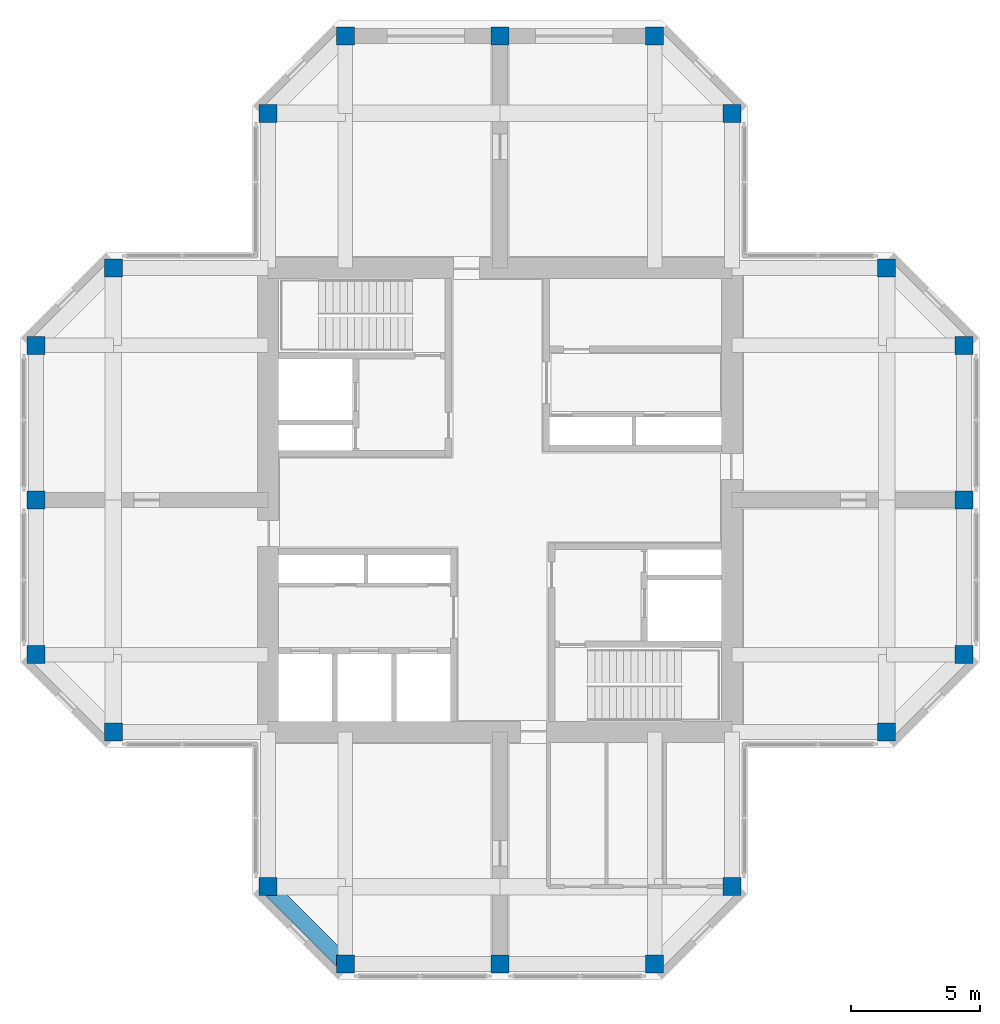
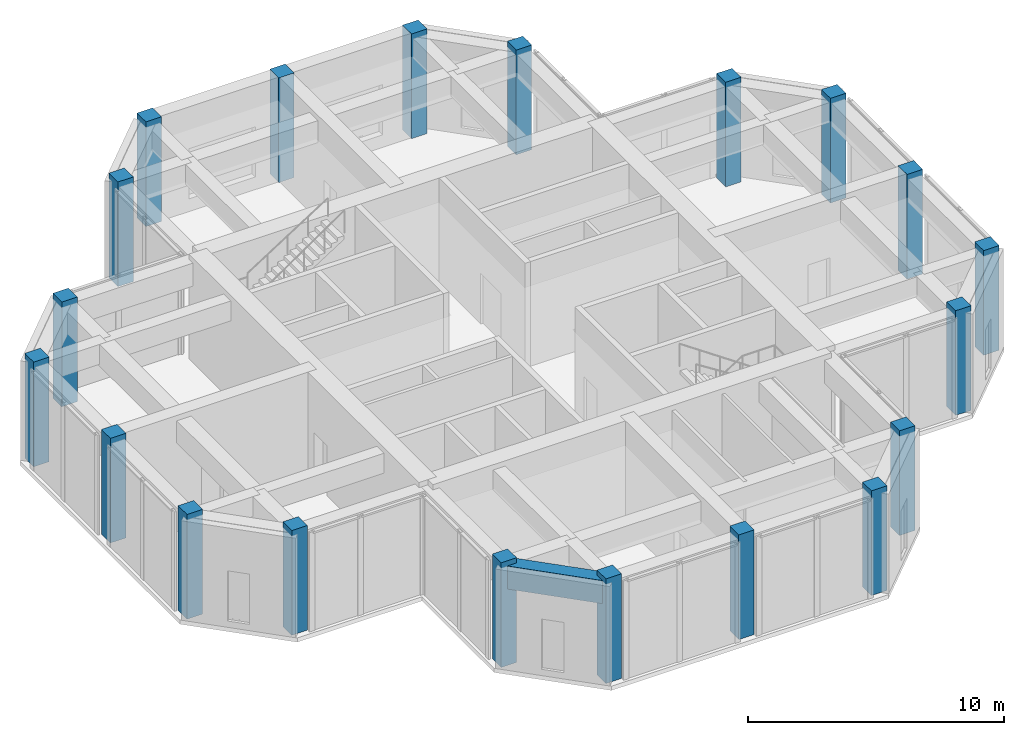
# One storey, part 1 of 8: 20 columns, 1 beam.
"""IFC4 building model written with IfcOpenShell, lengths in metres."""

from ifc_helpers import new_model, si_unit, direction, frame, origin, origin_2d, place, context, subcontext, project, spatial, rectangle, extrude, material, material_profile, profile_set, type_object, element, save


model = new_model("IFC4")

# Units and contexts
model_context = context("Model", 3, precision=1e-05, world=origin(), true_north=direction((0.0, 1.0)))
body_context = subcontext(model_context, "Body", "Model", "MODEL_VIEW")
ifc_project = project(units=[si_unit("LENGTHUNIT", "METRE"), si_unit("AREAUNIT", "SQUARE_METRE"), si_unit("VOLUMEUNIT", "CUBIC_METRE"), si_unit("PLANEANGLEUNIT", "RADIAN"), si_unit("MASSUNIT", "GRAM", prefix="KILO")], contexts=[model_context])

# Site, building, storey
site_placement = place(None, origin())
site = spatial("IfcSite", under=ifc_project, at=site_placement, CompositionType="ELEMENT")
building_placement = place(site_placement, origin())
building = spatial("IfcBuilding", under=site, at=building_placement, Name="Torre Cruceta", CompositionType="ELEMENT")
storey_placement = place(building_placement, frame((0.0, 0.0, 288.300048828125)))
storey = spatial("IfcBuildingStorey", under=building, at=storey_placement, Name="L75", CompositionType="ELEMENT", Elevation=288.300048828125)

# Columns
ifc_material_1 = material(Name="Concrete G60 (fck 60 MPa)", Category="concrete")
ifc_material_profile_1 = material_profile(ifc_material_1, rectangle(XDim=0.699951171875, YDim=0.699951171875, at=origin_2d()), Name="RC 700X700")
ifc_profile_set_1 = profile_set([ifc_material_profile_1], Name="Concrete G60 (fck 60 MPa)")
column_type = type_object("IfcColumnType", Name="COLUMN RC 700X700", PredefinedType="COLUMN", material=ifc_profile_set_1)
for number, where, z_axis, x_axis, name in (
    (1, (9.0, 15.0, 0.0), (0.0, 0.0, 1.0), (1.0, 0.0, 0.0), "C8 L75 N chamfer"),
    (2, (-9.0, 15.0, 0.0), (0.0, 0.0, 1.0), (1.0, 0.0, 0.0), "C8 L75 N chamfer"),
    (3, (6.0, 18.0, 0.0), (0.0, 0.0, 1.0), (1.0, 0.0, 0.0), "C8 L75 N tip"),
    (4, (0.0, 18.0, 0.0), (0.0, 0.0, 1.0), (1.0, 0.0, 0.0), "C8 L75 N tip"),
    (5, (-6.0, 18.0, 0.0), (0.0, 0.0, 1.0), (1.0, 0.0, 0.0), "C8 L75 N tip"),
    (6, (15.0, -9.0, 0.0), (0.0, 0.0, 1.0), (1.0, 0.0, 0.0), "C8 L75 E chamfer"),
    (7, (15.0, 9.0, 0.0), (0.0, 0.0, 1.0), (1.0, 0.0, 0.0), "C8 L75 E chamfer"),
    (8, (18.0, -6.0, 0.0), (0.0, 0.0, 1.0), (1.0, 0.0, 0.0), "C8 L75 E tip"),
    (9, (18.0, 0.0, 0.0), (0.0, 0.0, 1.0), (1.0, 0.0, 0.0), "C8 L75 E tip"),
    (10, (18.0, 6.0, 0.0), (0.0, 0.0, 1.0), (1.0, 0.0, 0.0), "C8 L75 E tip"),
    (11, (-9.0, -15.0, 0.0), (0.0, 0.0, 1.0), (1.0, 0.0, 0.0), "C8 L75 S chamfer"),
    (12, (9.0, -15.0, 0.0), (0.0, 0.0, 1.0), (1.0, 0.0, 0.0), "C8 L75 S chamfer"),
    (13, (-6.0, -18.0, 0.0), (0.0, 0.0, 1.0), (1.0, 0.0, 0.0), "C8 L75 S tip"),
    (14, (0.0, -18.0, 0.0), (0.0, 0.0, 1.0), (1.0, 0.0, 0.0), "C8 L75 S tip"),
    (15, (6.0, -18.0, 0.0), (0.0, 0.0, 1.0), (1.0, 0.0, 0.0), "C8 L75 S tip"),
    (16, (-15.0, 9.0, 0.0), (0.0, 0.0, 1.0), (1.0, 0.0, 0.0), "C8 L75 W chamfer"),
    (17, (-15.0, -9.0, 0.0), (0.0, 0.0, 1.0), (1.0, 0.0, 0.0), "C8 L75 W chamfer"),
    (18, (-18.0, 6.0, 0.0), (0.0, 0.0, 1.0), (1.0, 0.0, 0.0), "C8 L75 W tip"),
    (19, (-18.0, 0.0, 0.0), (0.0, 0.0, 1.0), (1.0, 0.0, 0.0), "C8 L75 W tip"),
    (20, (-18.0, -6.0, 0.0), (0.0, 0.0, 1.0), (1.0, 0.0, 0.0), "C8 L75 W tip"),
):
    element("IfcColumn", number, at=place(storey_placement, frame(where, z_axis=z_axis, x_axis=x_axis)), inside=storey, type_object=column_type, Name=name, PredefinedType="COLUMN", context=body_context, shape_type="SweptSolid", body=[
        extrude(rectangle(XDim=0.699951171875, YDim=0.699951171875, at=origin_2d()), origin(), (0.0, 0.0, 1.0), 5.0),
    ])

# Beam
ifc_material_2 = material(Name="Concrete G60 (fck 60 MPa)", Category="concrete")
ifc_material_profile_2 = material_profile(ifc_material_2, rectangle(XDim=0.60009765625, YDim=1.10009765625, at=origin_2d()), Name="RC 600X1100")
ifc_profile_set_2 = profile_set([ifc_material_profile_2], Name="Concrete G60 (fck 60 MPa)")
beam_type = type_object("IfcBeamType", Name="SPANDREL BEAM RC 600X1100", PredefinedType="SPANDREL", material=ifc_profile_set_2)
beam_placement = place(storey_placement, frame((-9.0, -15.0, 4.199951171875), z_axis=(0.707106781187, -0.707106781187, 0.0), x_axis=(0.707106781187, 0.707106781187, 0.0)))
element("IfcBeam", 21, at=beam_placement, inside=storey, type_object=beam_type, Name="SB2 L75 S side- 2", PredefinedType="SPANDREL", context=body_context, shape_type="SweptSolid", body=[
    extrude(rectangle(XDim=0.60009765625, YDim=1.10009765625, at=origin_2d()), origin(), (0.0, 0.0, 1.0), 4.24267578125),
])

save(model, "model.ifc")
